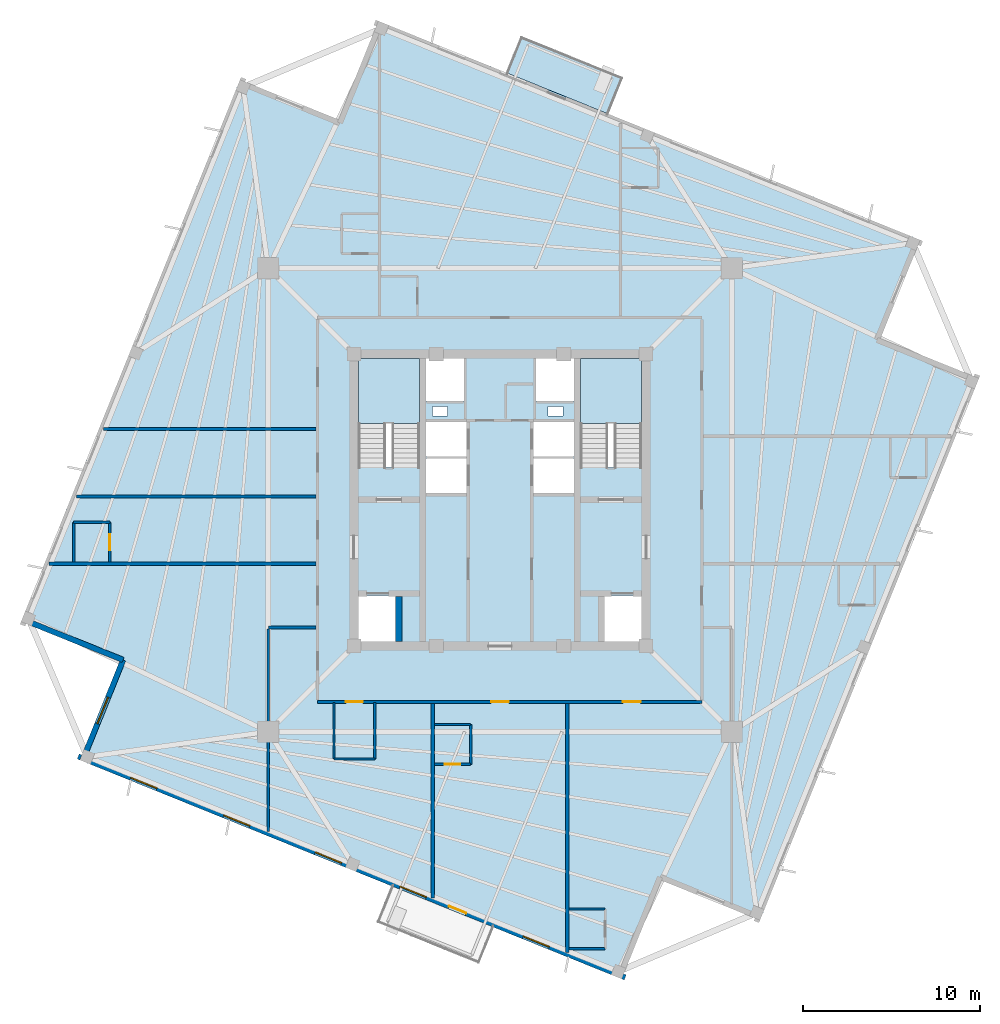
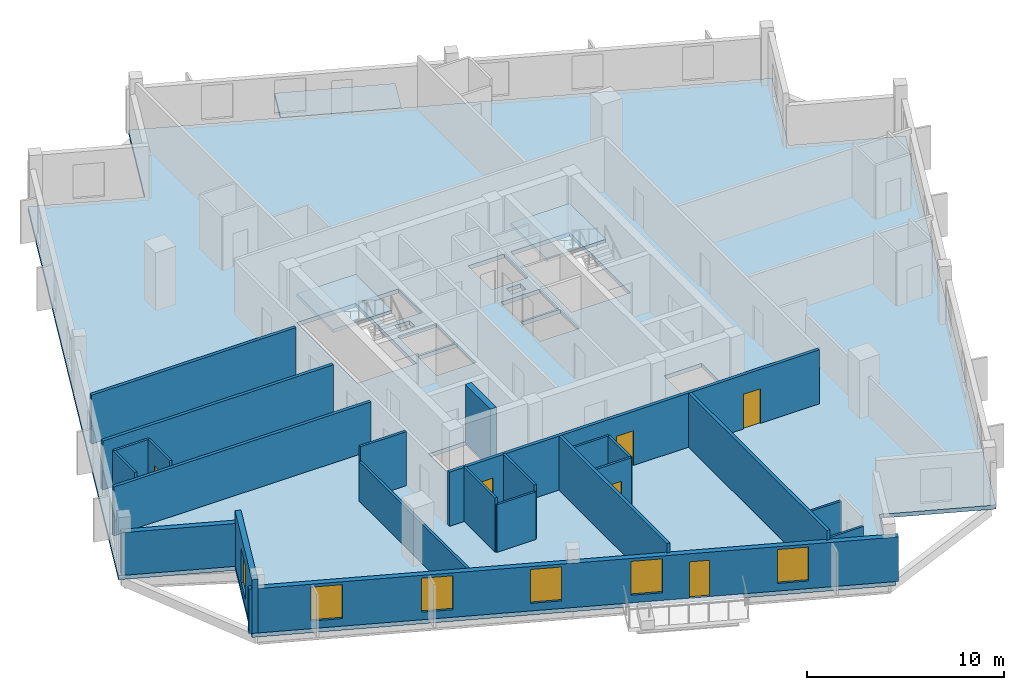
# One storey, part 2 of 8: 23 walls, 6 doors, 6 windows, 4 slabs, 12 openings, 2 elements without a shape of their own.
"""IFC4 building model written with IfcOpenShell, lengths in metres."""

from ifc_helpers import new_model, si_unit, direction, frame, frame_2d, origin, place, context, subcontext, project, spatial, polyline, rectangle, outline, extrude, source, transform, mapped, material, layer, layer_set, type_object, element, fill, aggregate, save


model = new_model("IFC4")

# Units and contexts
model_context = context("Model", 3, precision=1e-05, world=origin(), true_north=direction((0.0, 1.0)))
body_context = subcontext(model_context, "Body", "Model", "MODEL_VIEW")
ifc_project = project(units=[si_unit("LENGTHUNIT", "METRE"), si_unit("AREAUNIT", "SQUARE_METRE"), si_unit("VOLUMEUNIT", "CUBIC_METRE"), si_unit("PLANEANGLEUNIT", "RADIAN"), si_unit("MASSUNIT", "GRAM", prefix="KILO"), si_unit("THERMODYNAMICTEMPERATUREUNIT", "KELVIN")], contexts=[model_context])

# Site, building, storey
site_placement = place(None, origin())
site = spatial("IfcSite", under=ifc_project, at=site_placement, CompositionType="ELEMENT")
building_placement = place(site_placement, origin())
building = spatial("IfcBuilding", under=site, at=building_placement, Name="Kosmvard Interchange Tower", CompositionType="ELEMENT")
storey_placement = place(building_placement, frame((0.0, 0.0, 265.199951171875)))
storey = spatial("IfcBuildingStorey", under=building, at=storey_placement, Name="L64", CompositionType="ELEMENT", Elevation=265.199951171875)

# Slab
ifc_material_1 = material(Name="Concrete C50/60", Category="concrete")
ifc_layer_1 = layer(ifc_material_1, 0.25, Name="Concrete C50/60")
ifc_layer_set_1 = layer_set([ifc_layer_1], Name="Concrete C50/60")
slab_type_1 = type_object("IfcSlabType", Name="Hotel Acoustic Floor Slab 250 C50/60", PredefinedType="FLOOR", material=ifc_layer_set_1)
slab_1_placement = place(storey_placement, frame((0.0, 0.0, -0.25)))
element("IfcSlab", 1, at=slab_1_placement, inside=storey, type_object=slab_type_1, Name="L64 Structural Floor Slab", PredefinedType="FLOOR", context=body_context, shape_type="SweptSolid", body=[
    extrude(outline(polyline([(14.6806640625, -23.727294921875), (27.042724609375, 6.869873046875), (21.4794921875, 9.117431640625), (23.727294921875, 14.6806640625), (-6.869873046875, 27.042724609375), (-9.117431640625, 21.4794921875), (-14.6806640625, 23.727294921875), (-27.042724609375, -6.869873046875), (-21.4794921875, -9.117431640625), (-23.727294921875, -14.6806640625), (6.869873046875, -27.042724609375), (9.117431640625, -21.4794921875), (14.6806640625, -23.727294921875)]), holes=[polyline([(-8.0, 1.8349609375), (-4.5400390625, 1.8349609375), (-4.5400390625, 8.0), (-8.0, 8.0), (-8.0, 1.8349609375)]), polyline([(4.5400390625, 1.8349609375), (8.0, 1.8349609375), (8.0, 8.0), (4.5400390625, 8.0), (4.5400390625, 1.8349609375)]), polyline([(-8.0, -8.0), (-5.800048828125, -8.0), (-5.800048828125, -5.39990234375), (-8.0, -5.39990234375), (-8.0, -8.0)]), polyline([(5.800048828125, -8.0), (8.0, -8.0), (8.0, -5.39990234375), (5.800048828125, -5.39990234375), (5.800048828125, -8.0)]), polyline([(-4.179931640625, 0.39990234375), (-1.8798828125, 0.39990234375), (-1.8798828125, 2.340087890625), (-4.179931640625, 2.340087890625), (-4.179931640625, 0.39990234375)]), polyline([(-4.179931640625, 2.4599609375), (-1.8798828125, 2.4599609375), (-1.8798828125, 4.39990234375), (-4.179931640625, 4.39990234375), (-4.179931640625, 2.4599609375)]), polyline([(1.8798828125, 0.39990234375), (4.179931640625, 0.39990234375), (4.179931640625, 2.340087890625), (1.8798828125, 2.340087890625), (1.8798828125, 0.39990234375)]), polyline([(1.8798828125, 2.4599609375), (4.179931640625, 2.4599609375), (4.179931640625, 4.39990234375), (1.8798828125, 4.39990234375), (1.8798828125, 2.4599609375)]), polyline([(-4.179931640625, 5.60009765625), (-2.0400390625, 5.60009765625), (-2.0400390625, 8.0), (-4.179931640625, 8.0), (-4.179931640625, 5.60009765625)]), polyline([(2.0400390625, 5.60009765625), (4.179931640625, 5.60009765625), (4.179931640625, 8.0), (2.0400390625, 8.0), (2.0400390625, 5.60009765625)]), polyline([(-3.81494140625, 4.739990234375), (-2.965087890625, 4.739990234375), (-2.965087890625, 5.2900390625), (-3.81494140625, 5.2900390625), (-3.81494140625, 4.739990234375)]), polyline([(2.715087890625, 4.739990234375), (3.56494140625, 4.739990234375), (3.56494140625, 5.2900390625), (2.715087890625, 5.2900390625), (2.715087890625, 4.739990234375)])]), origin(), (0.0, 0.0, 1.0), 0.25),
])

# Stair, slab
stair_type = type_object("IfcStairType", Name="Dog-Leg Core Exit Stair H3600 C50/60", PredefinedType="HALF_TURN_STAIR", material=ifc_material_1)
stair_1_placement = place(storey_placement, origin())
stair_1 = element("IfcStair", 2, at=stair_1_placement, inside=storey, type_object=stair_type, Name="L64 Protected Exit Stair ST-1", PredefinedType="HALF_TURN_STAIR")
ifc_layer_2 = layer(ifc_material_1, 0.199951171875, Name="Concrete C50/60")
ifc_layer_set_2 = layer_set([ifc_layer_2], Name="Concrete C50/60")
slab_type_2 = type_object("IfcSlabType", Name="Stair Half-Landing Slab 200 C50/60", PredefinedType="LANDING", material=ifc_layer_set_2)
slab_2_placement = place(storey_placement, frame((0.0, 0.0, 1.60009765625)))
slab_2 = element("IfcSlab", 3, at=slab_2_placement, type_object=slab_type_2, Name="ST-1 landing 1", PredefinedType="LANDING", context=body_context, shape_type="SweptSolid", body=[
    extrude(outline(polyline([(-4.5400390625, 4.320068359375), (-4.5400390625, 8.0), (-8.0, 8.0), (-8.0, 4.320068359375), (-4.5400390625, 4.320068359375)])), origin(), (0.0, 0.0, 1.0), 0.199951171875),
])
aggregate(stair_1, [slab_2])

stair_2_placement = place(storey_placement, origin())
stair_2 = element("IfcStair", 4, at=stair_2_placement, inside=storey, type_object=stair_type, Name="L64 Protected Exit Stair ST-2", PredefinedType="HALF_TURN_STAIR")
slab_3_placement = place(storey_placement, frame((0.0, 0.0, 1.60009765625)))
slab_3 = element("IfcSlab", 5, at=slab_3_placement, type_object=slab_type_2, Name="ST-2 landing 1", PredefinedType="LANDING", context=body_context, shape_type="SweptSolid", body=[
    extrude(outline(polyline([(8.0, 4.320068359375), (8.0, 8.0), (4.5400390625, 8.0), (4.5400390625, 4.320068359375), (8.0, 4.320068359375)])), origin(), (0.0, 0.0, 1.0), 0.199951171875),
])
aggregate(stair_2, [slab_3])

# Slab
ifc_layer_3 = layer(ifc_material_1, 0.22998046875, Name="Concrete C50/60")
ifc_layer_set_3 = layer_set([ifc_layer_3], Name="Concrete C50/60")
slab_type_3 = type_object("IfcSlabType", Name="Tree-Planter Cantilever Balcony Slab 230 C50/60", PredefinedType="FLOOR", material=ifc_layer_set_3)
slab_4_placement = place(storey_placement, frame((0.0, 0.0, -0.22998046875)))
element("IfcSlab", 6, at=slab_4_placement, inside=storey, type_object=slab_type_3, Name="L64 Outdoor Terrace Balcony Slab BAL-L64-E", PredefinedType="FLOOR", context=body_context, shape_type="SweptSolid", body=[
    extrude(outline(polyline([(6.110595703125, 21.798095703125), (6.934814453125, 23.837890625), (1.186279296875, 26.160400390625), (0.362060546875, 24.12060546875), (6.110595703125, 21.798095703125)])), origin(), (0.0, 0.0, 1.0), 0.22998046875),
])

# Walls
ifc_material_2 = material(Name="Acoustic gypsum partition system")
ifc_layer_4 = layer(ifc_material_2, 0.14990234375, Name="Acoustic gypsum partition system")
ifc_layer_set_4 = layer_set([ifc_layer_4], Name="Acoustic gypsum partition system")
wall_type_1 = type_object("IfcWallType", Name="Acoustic Suite & Meeting Partition 150", PredefinedType="PARTITIONING", material=ifc_layer_set_4)
wall_1_placement = place(storey_placement, frame((-10.39501953125, -7.199951171875, 0.0), z_axis=(0.0, 0.0, 1.0), x_axis=(-1.0, 0.0, 0.0)))
element("IfcWall", 7, at=wall_1_placement, inside=storey, type_object=wall_type_1, Name="L64 Room Partition 12.1", PredefinedType="PARTITIONING", context=body_context, shape_type="SweptSolid", body=[
    extrude(rectangle(XDim=2.68603515625, YDim=0.14990234375, at=frame_2d((1.343017578125, 0.0))), origin(), (0.0, 0.0, 1.0), 3.35009765625),
])
wall_2_placement = place(storey_placement, frame((-13.0810546875, -7.27490234375, 0.0), z_axis=(0.0, 0.0, 1.0), x_axis=(0.0, -1.0, 0.0)))
element("IfcWall", 8, at=wall_2_placement, inside=storey, type_object=wall_type_1, Name="L64 Room Partition 13.1", PredefinedType="PARTITIONING", context=body_context, shape_type="SweptSolid", body=[
    extrude(rectangle(XDim=11.44287109375, YDim=0.14990234375, at=frame_2d((5.721435546875, 0.0))), origin(), (0.0, 0.0, 1.0), 2.449951171875),
])

# Wall, openings, doors
ifc_material_3 = material(Name="Fire-rated gypsum partition system")
ifc_layer_5 = layer(ifc_material_3, 0.179931640625, Name="Fire-rated gypsum partition system")
ifc_layer_set_5 = layer_set([ifc_layer_5], Name="Fire-rated gypsum partition system")
wall_type_2 = type_object("IfcWallType", Name="Corridor & Hotel Compartment Partition 180", PredefinedType="PARTITIONING", material=ifc_layer_set_5)
wall_3_placement = place(storey_placement, frame((-10.300048828125, -11.39990234375, 0.0), z_axis=(0.0, 0.0, 1.0), x_axis=(1.0, 0.0, 0.0)))
wall_3 = element("IfcWall", 9, at=wall_3_placement, inside=storey, type_object=wall_type_2, Name="L64 Corridor Wall CS", PredefinedType="PARTITIONING", context=body_context, shape_type="SweptSolid", body=[
    extrude(rectangle(XDim=21.699951171875, YDim=0.179931640625, at=frame_2d((10.85009765625, 0.0))), origin(), (0.0, 0.0, 1.0), 3.35009765625),
])
opening_1_placement = place(wall_3_placement, frame((1.60498046875, 0.0, 0.0)))
opening_1 = element("IfcOpeningElement", 10, at=opening_1_placement, cuts=wall_3, Name="Opening L64-D01", PredefinedType="OPENING", context=body_context, shape_type="SweptSolid", body=[
    extrude(rectangle(XDim=0.949951171875, YDim=2.10009765625, at=frame_2d((0.47509765625, 1.050048828125))), frame((0.0, 0.10009765625, 0.0), z_axis=(0.0, -1.0, 0.0), x_axis=(1.0, 0.0, 0.0)), (0.0, 0.0, 1.0), 0.199951171875),
])
opening_2_placement = place(wall_3_placement, frame((17.235595703125, 0.0, 0.0)))
opening_2 = element("IfcOpeningElement", 11, at=opening_2_placement, cuts=wall_3, Name="Opening L64-D13", PredefinedType="OPENING", context=body_context, shape_type="SweptSolid", body=[
    extrude(rectangle(XDim=1.0, YDim=2.14990234375, at=frame_2d((0.5, 1.074951171875))), frame((0.0, 0.10009765625, 0.0), z_axis=(0.0, -1.0, 0.0), x_axis=(1.0, 0.0, 0.0)), (0.0, 0.0, 1.0), 0.199951171875),
])
opening_3_placement = place(wall_3_placement, frame((9.800048828125, 0.0, 0.0)))
opening_3 = element("IfcOpeningElement", 12, at=opening_3_placement, cuts=wall_3, Name="Opening L64-D15", PredefinedType="OPENING", context=body_context, shape_type="SweptSolid", body=[
    extrude(rectangle(XDim=1.0, YDim=2.14990234375, at=frame_2d((0.5, 1.074951171875))), frame((0.0, 0.10009765625, 0.0), z_axis=(0.0, -1.0, 0.0), x_axis=(1.0, 0.0, 0.0)), (0.0, 0.0, 1.0), 0.199951171875),
])
ifc_material_4 = material(Name="Laminated moisture-resistant timber", Category="wood")
door_type_1 = type_object("IfcDoorType", Name="Accessible Washroom Door 950x2100", OperationType="NOTDEFINED", PredefinedType="DOOR", material=ifc_material_4)
shared_shape_1 = source(origin(), body_context, "Body", "SweptSolid", [
    extrude(rectangle(XDim=0.949951171875, YDim=2.10009765625, at=frame_2d((0.47509765625, 1.050048828125))), frame((0.0, 0.02490234375, 0.0), z_axis=(0.0, -1.0, 0.0), x_axis=(1.0, 0.0, 0.0)), (0.0, 0.0, 1.0), 0.050048828125),
])
door_1_placement = place(opening_1_placement, frame((0.949951171875, 0.0, 0.0), z_axis=(0.0, 0.0, 1.0), x_axis=(-1.0, 0.0, 0.0)))
door_1 = element("IfcDoor", 13, at=door_1_placement, inside=storey, type_object=door_type_1, Name="L64 Accessible Guest Toilet Door", OperationType="SINGLE_SWING_LEFT", OverallHeight=2.10009765625, OverallWidth=0.949951171875, PredefinedType="DOOR", context=body_context, shape_type="MappedRepresentation", body=[
    mapped(shared_shape_1, transform((0.0, 0.0, 0.0), scale=1.0)),
])
fill(opening_1, door_1)
ifc_material_5 = material(Name="Engineered oak fire-rated timber", Category="wood")
door_type_2 = type_object("IfcDoorType", Name="Hotel Guestroom Entrance Door 1000x2150 EI60", OperationType="NOTDEFINED", PredefinedType="DOOR", material=ifc_material_5)
shared_shape_2 = source(origin(), body_context, "Body", "SweptSolid", [
    extrude(rectangle(XDim=1.0, YDim=2.14990234375, at=frame_2d((0.5, 1.074951171875))), frame((0.0, 0.02490234375, 0.0), z_axis=(0.0, -1.0, 0.0), x_axis=(1.0, 0.0, 0.0)), (0.0, 0.0, 1.0), 0.050048828125),
])
door_2_placement = place(opening_2_placement, frame((1.0, 0.0, 0.0), z_axis=(0.0, 0.0, 1.0), x_axis=(-1.0, 0.0, 0.0)))
door_2 = element("IfcDoor", 14, at=door_2_placement, inside=storey, type_object=door_type_2, Name="L64 Hotel Deluxe Junior Suite 4 Door", OperationType="SINGLE_SWING_LEFT", OverallHeight=2.14990234375, OverallWidth=1.0, PredefinedType="DOOR", context=body_context, shape_type="MappedRepresentation", body=[
    mapped(shared_shape_2, transform((0.0, 0.0, 0.0), scale=1.0)),
])
fill(opening_2, door_2)
door_3_placement = place(opening_3_placement, frame((1.0, 0.0, 0.0), z_axis=(0.0, 0.0, 1.0), x_axis=(-1.0, 0.0, 0.0)))
door_3 = element("IfcDoor", 15, at=door_3_placement, inside=storey, type_object=door_type_2, Name="L64 Hotel South-West Corner Suite 3 Door", OperationType="SINGLE_SWING_LEFT", OverallHeight=2.14990234375, OverallWidth=1.0, PredefinedType="DOOR", context=body_context, shape_type="MappedRepresentation", body=[
    mapped(shared_shape_2, transform((0.0, 0.0, 0.0), scale=1.0)),
])
fill(opening_3, door_3)

# Walls
wall_4_placement = place(storey_placement, frame((3.800048828125, -11.4951171875, 0.0), z_axis=(0.0, 0.0, 1.0), x_axis=(0.0, -1.0, 0.0)))
element("IfcWall", 16, at=wall_4_placement, inside=storey, type_object=wall_type_2, Name="L64 Room Partition 05.1", PredefinedType="PARTITIONING", context=body_context, shape_type="SweptSolid", body=[
    extrude(rectangle(XDim=14.04296875, YDim=0.179931640625, at=frame_2d((7.021484375, 0.0))), origin(), (0.0, 0.0, 1.0), 3.35009765625),
])
wall_5_placement = place(storey_placement, frame((-3.800048828125, -11.4951171875, 0.0), z_axis=(0.0, 0.0, 1.0), x_axis=(0.0, -1.0, 0.0)))
element("IfcWall", 17, at=wall_5_placement, inside=storey, type_object=wall_type_2, Name="L64 Room Partition 06.1", PredefinedType="PARTITIONING", context=body_context, shape_type="SweptSolid", body=[
    extrude(rectangle(XDim=10.972412109375, YDim=0.179931640625, at=frame_2d((5.486328125, 0.0))), origin(), (0.0, 0.0, 1.0), 3.35009765625),
])
wall_6_placement = place(storey_placement, frame((-10.39501953125, -3.60009765625, 0.0), z_axis=(0.0, 0.0, 1.0), x_axis=(-1.0, 0.0, 0.0)))
element("IfcWall", 18, at=wall_6_placement, inside=storey, type_object=wall_type_2, Name="L64 Room Partition 07.1", PredefinedType="PARTITIONING", context=body_context, shape_type="SweptSolid", body=[
    extrude(rectangle(XDim=15.062255859375, YDim=0.179931640625, at=frame_2d((7.53125, 0.0))), origin(), (0.0, 0.0, 1.0), 3.02001953125),
])
wall_7_placement = place(storey_placement, frame((-10.39501953125, 0.199951171875, 0.0), z_axis=(0.0, 0.0, 1.0), x_axis=(-1.0, 0.0, 0.0)))
element("IfcWall", 19, at=wall_7_placement, inside=storey, type_object=wall_type_2, Name="L64 Room Partition 08.1", PredefinedType="PARTITIONING", context=body_context, shape_type="SweptSolid", body=[
    extrude(rectangle(XDim=13.52685546875, YDim=0.179931640625, at=frame_2d((6.763427734375, 0.0))), origin(), (0.0, 0.0, 1.0), 3.02001953125),
])
wall_8_placement = place(storey_placement, frame((-10.39501953125, 4.0, 0.0), z_axis=(0.0, 0.0, 1.0), x_axis=(-1.0, 0.0, 0.0)))
element("IfcWall", 20, at=wall_8_placement, inside=storey, type_object=wall_type_2, Name="L64 Room Partition 09.1", PredefinedType="PARTITIONING", context=body_context, shape_type="SweptSolid", body=[
    extrude(rectangle(XDim=11.99169921875, YDim=0.179931640625, at=frame_2d((5.995849609375, 0.0))), origin(), (0.0, 0.0, 1.0), 3.02001953125),
])
ifc_material_6 = material(Name="Concrete C60/75", Category="concrete")
ifc_layer_6 = layer(ifc_material_6, 0.360107421875, Name="Concrete C60/75")
ifc_layer_set_6 = layer_set([ifc_layer_6], Name="Concrete C60/75")
wall_type_3 = type_object("IfcWallType", Name="Stair & Lift Shaft Shear Wall 360 C60/75", PredefinedType="SHEAR", material=ifc_layer_set_6)
wall_9_placement = place(storey_placement, frame((-5.7099609375, -8.0, 0.0), z_axis=(0.0, 0.0, 1.0), x_axis=(0.0, 1.0, 0.0)))
element("IfcWall", 21, at=wall_9_placement, inside=storey, type_object=wall_type_3, Name="L64 Shaft Shear Wall SW-SM1", PredefinedType="SHEAR", context=body_context, shape_type="SweptSolid", body=[
    extrude(rectangle(XDim=2.5400390625, YDim=0.360107421875, at=frame_2d((1.27001953125, 0.0))), origin(), (0.0, 0.0, 1.0), 3.60009765625),
])
ifc_material_7 = material(Name="Precast concrete C45/55", Category="concrete")
ifc_layer_7 = layer(ifc_material_7, 0.31005859375, Name="Precast concrete C45/55")
ifc_layer_set_7 = layer_set([ifc_layer_7], Name="Precast concrete C45/55")
wall_type_4 = type_object("IfcWallType", Name="Upper Tower Precast Pier Wall 310 C45/55", PredefinedType="STANDARD", material=ifc_layer_set_7)
wall_10_placement = place(storey_placement, frame((-26.8408203125, -6.7841796875, 0.0), z_axis=(0.0, 0.0, 1.0), x_axis=(0.927171722085, -0.374636620962, 0.0)))
element("IfcWall", 22, at=wall_10_placement, inside=storey, type_object=wall_type_4, Name="L64 Precast Facade Wall N-NW1", PredefinedType="STANDARD", context=body_context, shape_type="SweptSolid", body=[
    extrude(rectangle(XDim=6.0, YDim=0.31005859375, at=frame_2d((3.0, 0.0))), origin(), (0.0, 0.0, 1.0), 2.650146484375),
])

# Wall, opening, window
wall_11_placement = place(storey_placement, frame((-21.27783203125, -9.031982421875, 0.0), z_axis=(0.0, 0.0, 1.0), x_axis=(-0.374602739196, -0.927185411764, 0.0)))
wall_11 = element("IfcWall", 23, at=wall_11_placement, inside=storey, type_object=wall_type_4, Name="L64 Precast Facade Wall N-NW2", PredefinedType="STANDARD", context=body_context, shape_type="SweptSolid", body=[
    extrude(rectangle(XDim=6.155029296875, YDim=0.31005859375, at=frame_2d((3.07763671875, 0.0))), origin(), (0.0, 0.0, 1.0), 3.35009765625),
])
opening_4_placement = place(wall_11_placement, frame((2.277587890625, 0.0, 0.469970703125)))
opening_4 = element("IfcOpeningElement", 24, at=opening_4_placement, cuts=wall_11, Name="Opening L64-W23", PredefinedType="OPENING", context=body_context, shape_type="SweptSolid", body=[
    extrude(rectangle(XDim=1.60009765625, YDim=2.10009765625, at=frame_2d((0.800048828125, 1.050048828125))), frame((0.0, 0.1650390625, 0.0), z_axis=(0.0, -1.0, 0.0), x_axis=(1.0, 0.0, 0.0)), (0.0, 0.0, 1.0), 0.330078125),
])
ifc_material_8 = material(Name="Low-E acoustic double glazing", Category="glass")
window_type = type_object("IfcWindowType", Name="Zone 5 Hotel Punched Window 1600x2100", PartitioningType="SINGLE_PANEL", PredefinedType="WINDOW", material=ifc_material_8)
shared_shape_3 = source(origin(), body_context, "Body", "SweptSolid", [
    extrude(rectangle(XDim=1.60009765625, YDim=2.10009765625, at=frame_2d((0.800048828125, 1.050048828125))), frame((0.0, 0.030029296875, 0.0), z_axis=(0.0, -1.0, 0.0), x_axis=(1.0, 0.0, 0.0)), (0.0, 0.0, 1.0), 0.06005859375),
])
window_1_placement = place(opening_4_placement, origin())
window_1 = element("IfcWindow", 25, at=window_1_placement, inside=storey, type_object=window_type, Name="L64 Corner Notch Window 23", OverallHeight=2.10009765625, OverallWidth=1.60009765625, PartitioningType="SINGLE_PANEL", PredefinedType="WINDOW", context=body_context, shape_type="MappedRepresentation", body=[
    mapped(shared_shape_3, transform((0.0, 0.0, 0.0), scale=1.0)),
])
fill(opening_4, window_1)

# Wall, openings, door, windows
wall_12_placement = place(storey_placement, frame((-23.812744140625, -14.478759765625, 0.0), z_axis=(0.0, 0.0, 1.0), x_axis=(0.927182657188, -0.374609557019, 0.0)))
wall_12 = element("IfcWall", 26, at=wall_12_placement, inside=storey, type_object=wall_type_4, Name="L64 Precast Facade Wall F-W", PredefinedType="STANDARD", context=body_context, shape_type="SweptSolid", body=[
    extrude(rectangle(XDim=33.31005859375, YDim=0.31005859375, at=frame_2d((16.655029296875, 0.0))), origin(), (0.0, 0.0, 1.0), 2.75),
])
opening_5_placement = place(wall_12_placement, frame((22.580078125, 0.0, 0.0)))
opening_5 = element("IfcOpeningElement", 27, at=opening_5_placement, cuts=wall_12, Name="Opening L64-BDW", PredefinedType="OPENING", context=body_context, shape_type="SweptSolid", body=[
    extrude(rectangle(XDim=1.050048828125, YDim=2.25, at=frame_2d((0.52490234375, 1.125))), frame((0.0, 0.1650390625, 0.0), z_axis=(0.0, -1.0, 0.0), x_axis=(1.0, 0.0, 0.0)), (0.0, 0.0, 1.0), 0.330078125),
])
opening_6_placement = place(wall_12_placement, frame((3.197265625, 0.0, 0.469970703125)))
opening_6 = element("IfcOpeningElement", 28, at=opening_6_placement, cuts=wall_12, Name="Opening L64-W16", PredefinedType="OPENING", context=body_context, shape_type="SweptSolid", body=[
    extrude(rectangle(XDim=1.60009765625, YDim=2.10009765625, at=frame_2d((0.800048828125, 1.050048828125))), frame((0.0, 0.1650390625, 0.0), z_axis=(0.0, -1.0, 0.0), x_axis=(1.0, 0.0, 0.0)), (0.0, 0.0, 1.0), 0.330078125),
])
opening_7_placement = place(wall_12_placement, frame((8.85986328125, 0.0, 0.469970703125)))
opening_7 = element("IfcOpeningElement", 29, at=opening_7_placement, cuts=wall_12, Name="Opening L64-W17", PredefinedType="OPENING", context=body_context, shape_type="SweptSolid", body=[
    extrude(rectangle(XDim=1.60009765625, YDim=2.10009765625, at=frame_2d((0.800048828125, 1.050048828125))), frame((0.0, 0.1650390625, 0.0), z_axis=(0.0, -1.0, 0.0), x_axis=(1.0, 0.0, 0.0)), (0.0, 0.0, 1.0), 0.330078125),
])
opening_8_placement = place(wall_12_placement, frame((14.438720703125, 0.0, 0.469970703125)))
opening_8 = element("IfcOpeningElement", 30, at=opening_8_placement, cuts=wall_12, Name="Opening L64-W18", PredefinedType="OPENING", context=body_context, shape_type="SweptSolid", body=[
    extrude(rectangle(XDim=1.60009765625, YDim=2.10009765625, at=frame_2d((0.800048828125, 1.050048828125))), frame((0.0, 0.1650390625, 0.0), z_axis=(0.0, -1.0, 0.0), x_axis=(1.0, 0.0, 0.0)), (0.0, 0.0, 1.0), 0.330078125),
])
opening_9_placement = place(wall_12_placement, frame((19.600830078125, 0.0, 0.469970703125)))
opening_9 = element("IfcOpeningElement", 31, at=opening_9_placement, cuts=wall_12, Name="Opening L64-W19", PredefinedType="OPENING", context=body_context, shape_type="SweptSolid", body=[
    extrude(rectangle(XDim=1.60009765625, YDim=2.10009765625, at=frame_2d((0.800048828125, 1.050048828125))), frame((0.0, 0.1650390625, 0.0), z_axis=(0.0, -1.0, 0.0), x_axis=(1.0, 0.0, 0.0)), (0.0, 0.0, 1.0), 0.330078125),
])
opening_10_placement = place(wall_12_placement, frame((27.0966796875, 0.0, 0.469970703125)))
opening_10 = element("IfcOpeningElement", 32, at=opening_10_placement, cuts=wall_12, Name="Opening L64-W20", PredefinedType="OPENING", context=body_context, shape_type="SweptSolid", body=[
    extrude(rectangle(XDim=1.60009765625, YDim=2.10009765625, at=frame_2d((0.800048828125, 1.050048828125))), frame((0.0, 0.1650390625, 0.0), z_axis=(0.0, -1.0, 0.0), x_axis=(1.0, 0.0, 0.0)), (0.0, 0.0, 1.0), 0.330078125),
])
ifc_material_9 = material(Name="Anodised aluminium and safety glass", Category="aluminium")
door_type_3 = type_object("IfcDoorType", Name="Tree-Balcony Glazed Door 1050x2250", OperationType="NOTDEFINED", PredefinedType="DOOR", material=ifc_material_9)
shared_shape_4 = source(origin(), body_context, "Body", "SweptSolid", [
    extrude(rectangle(XDim=1.050048828125, YDim=2.25, at=frame_2d((0.52490234375, 1.125))), frame((0.0, 0.02490234375, 0.0), z_axis=(0.0, -1.0, 0.0), x_axis=(1.0, 0.0, 0.0)), (0.0, 0.0, 1.0), 0.050048828125),
])
door_4_placement = place(opening_5_placement, origin())
door_4 = element("IfcDoor", 33, at=door_4_placement, inside=storey, type_object=door_type_3, Name="L64 Tree-Balcony Door BAL-L64-W", OperationType="SINGLE_SWING_LEFT", OverallHeight=2.25, OverallWidth=1.050048828125, PredefinedType="DOOR", context=body_context, shape_type="MappedRepresentation", body=[
    mapped(shared_shape_4, transform((0.0, 0.0, 0.0), scale=1.0)),
])
fill(opening_5, door_4)
window_2_placement = place(opening_6_placement, origin())
window_2 = element("IfcWindow", 34, at=window_2_placement, inside=storey, type_object=window_type, Name="L64 Facade Punched Window 16", OverallHeight=2.10009765625, OverallWidth=1.60009765625, PartitioningType="SINGLE_PANEL", PredefinedType="WINDOW", context=body_context, shape_type="MappedRepresentation", body=[
    mapped(shared_shape_3, transform((0.0, 0.0, 0.0), scale=1.0)),
])
fill(opening_6, window_2)
window_3_placement = place(opening_7_placement, origin())
window_3 = element("IfcWindow", 35, at=window_3_placement, inside=storey, type_object=window_type, Name="L64 Facade Punched Window 17", OverallHeight=2.10009765625, OverallWidth=1.60009765625, PartitioningType="SINGLE_PANEL", PredefinedType="WINDOW", context=body_context, shape_type="MappedRepresentation", body=[
    mapped(shared_shape_3, transform((0.0, 0.0, 0.0), scale=1.0)),
])
fill(opening_7, window_3)
window_4_placement = place(opening_8_placement, origin())
window_4 = element("IfcWindow", 36, at=window_4_placement, inside=storey, type_object=window_type, Name="L64 Facade Punched Window 18", OverallHeight=2.10009765625, OverallWidth=1.60009765625, PartitioningType="SINGLE_PANEL", PredefinedType="WINDOW", context=body_context, shape_type="MappedRepresentation", body=[
    mapped(shared_shape_3, transform((0.0, 0.0, 0.0), scale=1.0)),
])
fill(opening_8, window_4)
window_5_placement = place(opening_9_placement, origin())
window_5 = element("IfcWindow", 37, at=window_5_placement, inside=storey, type_object=window_type, Name="L64 Facade Punched Window 19", OverallHeight=2.10009765625, OverallWidth=1.60009765625, PartitioningType="SINGLE_PANEL", PredefinedType="WINDOW", context=body_context, shape_type="MappedRepresentation", body=[
    mapped(shared_shape_3, transform((0.0, 0.0, 0.0), scale=1.0)),
])
fill(opening_9, window_5)
window_6_placement = place(opening_10_placement, origin())
window_6 = element("IfcWindow", 38, at=window_6_placement, inside=storey, type_object=window_type, Name="L64 Facade Punched Window 20", OverallHeight=2.10009765625, OverallWidth=1.60009765625, PartitioningType="SINGLE_PANEL", PredefinedType="WINDOW", context=body_context, shape_type="MappedRepresentation", body=[
    mapped(shared_shape_3, transform((0.0, 0.0, 0.0), scale=1.0)),
])
fill(opening_10, window_6)

# Walls
ifc_material_10 = material(Name="Moisture-resistant gypsum partition")
ifc_layer_8 = layer(ifc_material_10, 0.135009765625, Name="Moisture-resistant gypsum partition")
ifc_layer_set_8 = layer_set([ifc_layer_8], Name="Moisture-resistant gypsum partition")
wall_type_5 = type_object("IfcWallType", Name="Wet Room Moisture-Resistant Partition 135", PredefinedType="PARTITIONING", material=ifc_layer_set_8)
wall_13_placement = place(storey_placement, frame((-9.3701171875, -14.6201171875, 0.0), z_axis=(0.0, 0.0, 1.0), x_axis=(1.0, 0.0, 0.0)))
element("IfcWall", 39, at=wall_13_placement, inside=storey, type_object=wall_type_5, Name="L64 Washroom Partition HAWC-S", PredefinedType="PARTITIONING", context=body_context, shape_type="SweptSolid", body=[
    extrude(rectangle(XDim=2.300048828125, YDim=0.135009765625, at=frame_2d((1.14990234375, 0.0))), origin(), (0.0, 0.0, 1.0), 2.949951171875),
])
for number, where, z_axis, x_axis, name in (
    (40, (-7.070068359375, -14.6201171875, 0.0), (0.0, 0.0, 1.0), (0.0, 1.0, 0.0), "L64 Washroom Partition HAWC-E"),
    (41, (-9.3701171875, -14.6201171875, 0.0), (0.0, 0.0, 1.0), (0.0, 1.0, 0.0), "L64 Washroom Partition HAWC-W"),
):
    element("IfcWall", number, at=place(storey_placement, frame(where, z_axis=z_axis, x_axis=x_axis)), inside=storey, type_object=wall_type_5, Name=name, PredefinedType="PARTITIONING", context=body_context, shape_type="SweptSolid", body=[
        extrude(rectangle(XDim=3.2001953125, YDim=0.135009765625, at=frame_2d((1.60009765625, 0.0))), origin(), (0.0, 0.0, 1.0), 3.35009765625),
    ])
wall_14_placement = place(storey_placement, frame((3.889892578125, -25.341552734375, 0.0), z_axis=(0.0, 0.0, 1.0), x_axis=(1.0, 0.0, 0.0)))
element("IfcWall", 42, at=wall_14_placement, inside=storey, type_object=wall_type_5, Name="L64 En-Suite Partition HGR4-S", PredefinedType="PARTITIONING", context=body_context, shape_type="SweptSolid", body=[
    extrude(rectangle(XDim=2.050048828125, YDim=0.135009765625, at=frame_2d((1.02490234375, 0.0))), origin(), (0.0, 0.0, 1.0), 2.75),
])
wall_15_placement = place(storey_placement, frame((3.889892578125, -23.091552734375, 0.0), z_axis=(0.0, 0.0, 1.0), x_axis=(1.0, 0.0, 0.0)))
element("IfcWall", 43, at=wall_15_placement, inside=storey, type_object=wall_type_5, Name="L64 En-Suite Partition HGR4-N", PredefinedType="PARTITIONING", context=body_context, shape_type="SweptSolid", body=[
    extrude(rectangle(XDim=2.050048828125, YDim=0.135009765625, at=frame_2d((1.02490234375, 0.0))), origin(), (0.0, 0.0, 1.0), 2.949951171875),
])

# Wall, opening, door
wall_16_placement = place(storey_placement, frame((-3.7099609375, -14.925048828125, 0.0), z_axis=(0.0, 0.0, 1.0), x_axis=(1.0, 0.0, 0.0)))
wall_16 = element("IfcWall", 44, at=wall_16_placement, inside=storey, type_object=wall_type_5, Name="L64 En-Suite Partition HCS3-S", PredefinedType="PARTITIONING", context=body_context, shape_type="SweptSolid", body=[
    extrude(rectangle(XDim=2.050048828125, YDim=0.135009765625, at=frame_2d((1.02490234375, 0.0))), origin(), (0.0, 0.0, 1.0), 3.35009765625),
])
opening_11_placement = place(wall_16_placement, frame((0.5849609375, 0.0, 0.0)))
opening_11 = element("IfcOpeningElement", 45, at=opening_11_placement, cuts=wall_16, Name="Opening L64-ED16", PredefinedType="OPENING", context=body_context, shape_type="SweptSolid", body=[
    extrude(rectangle(XDim=0.8798828125, YDim=2.10009765625, at=frame_2d((0.43994140625, 1.050048828125))), frame((0.0, 0.07763671875, 0.0), z_axis=(0.0, -1.0, 0.0), x_axis=(1.0, 0.0, 0.0)), (0.0, 0.0, 1.0), 0.155029296875),
])
door_type_4 = type_object("IfcDoorType", Name="En-Suite & Washroom Door 880x2100", OperationType="NOTDEFINED", PredefinedType="DOOR", material=ifc_material_4)
shared_shape_5 = source(origin(), body_context, "Body", "SweptSolid", [
    extrude(rectangle(XDim=0.8798828125, YDim=2.10009765625, at=frame_2d((0.43994140625, 1.050048828125))), frame((0.0, 0.02490234375, 0.0), z_axis=(0.0, -1.0, 0.0), x_axis=(1.0, 0.0, 0.0)), (0.0, 0.0, 1.0), 0.050048828125),
])
door_5_placement = place(opening_11_placement, origin())
door_5 = element("IfcDoor", 46, at=door_5_placement, inside=storey, type_object=door_type_4, Name="L64 HCS3 En-Suite Door", OperationType="SINGLE_SWING_LEFT", OverallHeight=2.10009765625, OverallWidth=0.8798828125, PredefinedType="DOOR", context=body_context, shape_type="MappedRepresentation", body=[
    mapped(shared_shape_5, transform((0.0, 0.0, 0.0), scale=1.0)),
])
fill(opening_11, door_5)

# Walls
wall_17_placement = place(storey_placement, frame((-1.659912109375, -14.925048828125, 0.0), z_axis=(0.0, 0.0, 1.0), x_axis=(0.0, 1.0, 0.0)))
element("IfcWall", 47, at=wall_17_placement, inside=storey, type_object=wall_type_5, Name="L64 En-Suite Partition HCS3-E", PredefinedType="PARTITIONING", context=body_context, shape_type="SweptSolid", body=[
    extrude(rectangle(XDim=2.25, YDim=0.135009765625, at=frame_2d((1.125, 0.0))), origin(), (0.0, 0.0, 1.0), 3.35009765625),
])
wall_18_placement = place(storey_placement, frame((-3.7099609375, -12.675048828125, 0.0), z_axis=(0.0, 0.0, 1.0), x_axis=(1.0, 0.0, 0.0)))
element("IfcWall", 48, at=wall_18_placement, inside=storey, type_object=wall_type_5, Name="L64 En-Suite Partition HCS3-N", PredefinedType="PARTITIONING", context=body_context, shape_type="SweptSolid", body=[
    extrude(rectangle(XDim=2.050048828125, YDim=0.135009765625, at=frame_2d((1.02490234375, 0.0))), origin(), (0.0, 0.0, 1.0), 3.35009765625),
])

# Wall, opening, door
wall_19_placement = place(storey_placement, frame((-22.02392578125, -3.510009765625, 0.0), z_axis=(0.0, 0.0, 1.0), x_axis=(0.0, 1.0, 0.0)))
wall_19 = element("IfcWall", 49, at=wall_19_placement, inside=storey, type_object=wall_type_5, Name="L64 En-Suite Partition HGR5-E", PredefinedType="PARTITIONING", context=body_context, shape_type="SweptSolid", body=[
    extrude(rectangle(XDim=2.25, YDim=0.135009765625, at=frame_2d((1.125, 0.0))), origin(), (0.0, 0.0, 1.0), 3.35009765625),
])
opening_12_placement = place(wall_19_placement, frame((0.68505859375, 0.0, 0.0)))
opening_12 = element("IfcOpeningElement", 50, at=opening_12_placement, cuts=wall_19, Name="Opening L64-ED20", PredefinedType="OPENING", context=body_context, shape_type="SweptSolid", body=[
    extrude(rectangle(XDim=0.8798828125, YDim=2.10009765625, at=frame_2d((0.43994140625, 1.050048828125))), frame((0.0, 0.07763671875, 0.0), z_axis=(0.0, -1.0, 0.0), x_axis=(1.0, 0.0, 0.0)), (0.0, 0.0, 1.0), 0.155029296875),
])
door_6_placement = place(opening_12_placement, origin())
door_6 = element("IfcDoor", 51, at=door_6_placement, inside=storey, type_object=door_type_4, Name="L64 HGR5 En-Suite Door", OperationType="SINGLE_SWING_LEFT", OverallHeight=2.10009765625, OverallWidth=0.8798828125, PredefinedType="DOOR", context=body_context, shape_type="MappedRepresentation", body=[
    mapped(shared_shape_5, transform((0.0, 0.0, 0.0), scale=1.0)),
])
fill(opening_12, door_6)

# Walls
wall_20_placement = place(storey_placement, frame((-24.073974609375, -1.260009765625, 0.0), z_axis=(0.0, 0.0, 1.0), x_axis=(1.0, 0.0, 0.0)))
element("IfcWall", 52, at=wall_20_placement, inside=storey, type_object=wall_type_5, Name="L64 En-Suite Partition HGR5-N", PredefinedType="PARTITIONING", context=body_context, shape_type="SweptSolid", body=[
    extrude(rectangle(XDim=2.050048828125, YDim=0.135009765625, at=frame_2d((1.02490234375, 0.0))), origin(), (0.0, 0.0, 1.0), 3.35009765625),
])
wall_21_placement = place(storey_placement, frame((-24.073974609375, -3.510009765625, 0.0), z_axis=(0.0, 0.0, 1.0), x_axis=(0.0, 1.0, 0.0)))
element("IfcWall", 53, at=wall_21_placement, inside=storey, type_object=wall_type_5, Name="L64 En-Suite Partition HGR5-W", PredefinedType="PARTITIONING", context=body_context, shape_type="SweptSolid", body=[
    extrude(rectangle(XDim=2.25, YDim=0.135009765625, at=frame_2d((1.125, 0.0))), origin(), (0.0, 0.0, 1.0), 3.35009765625),
])

save(model, "model.ifc")
